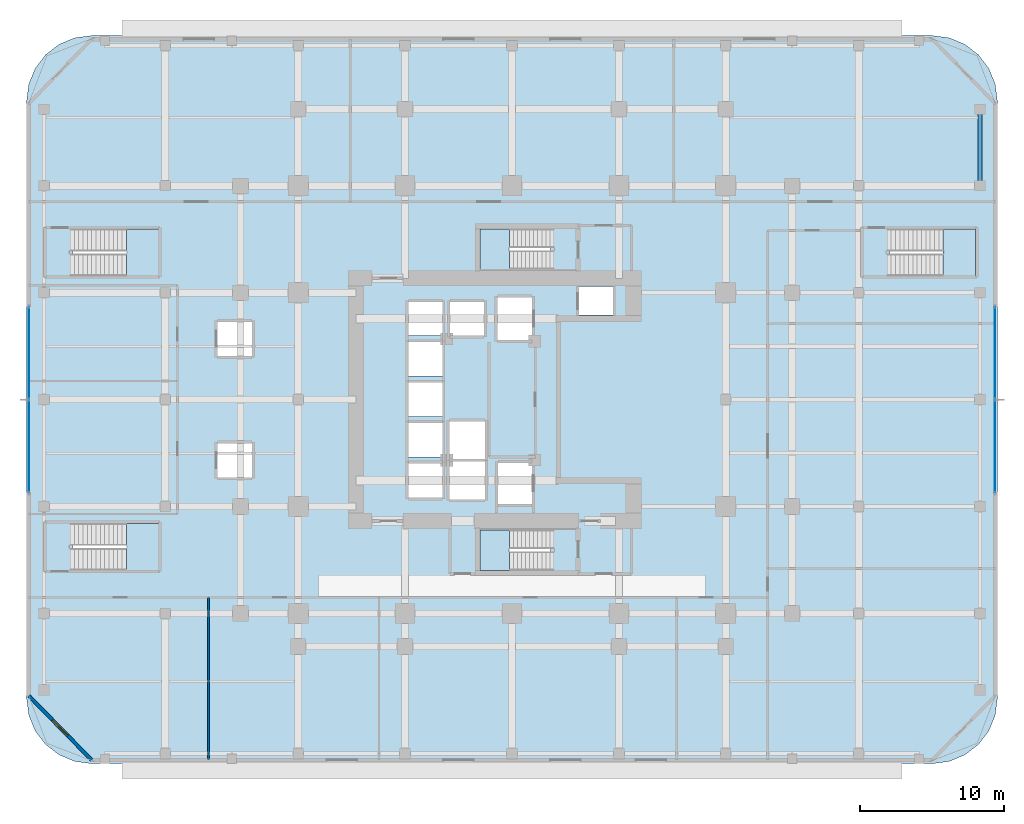
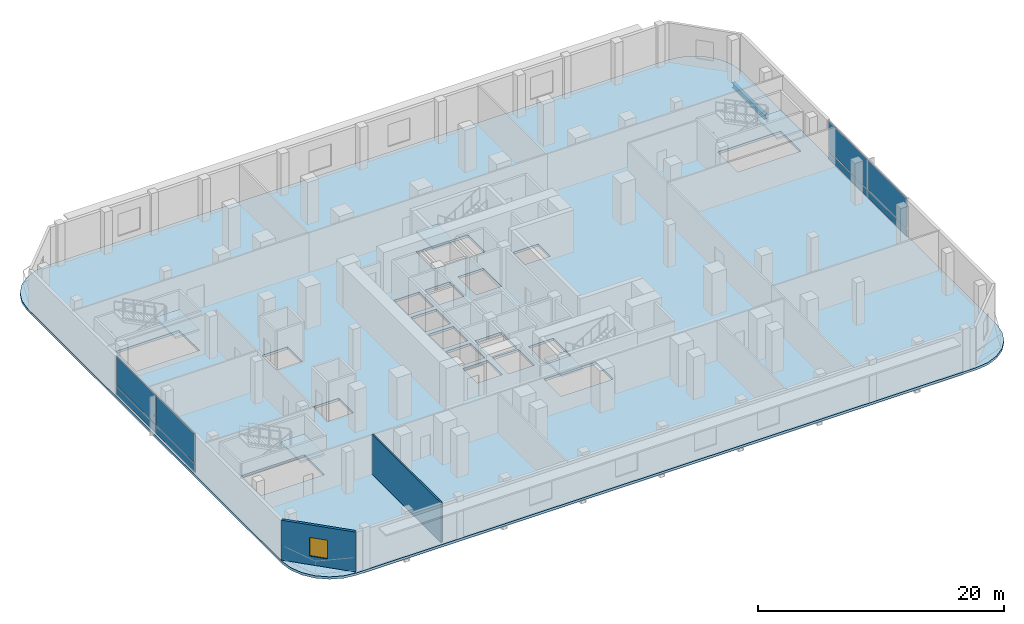
# One storey, part 7 of 19: 8 plates, 6 slabs, 2 walls, 1 beam, 1 window, 1 opening, 7 elements without a shape of their own.
"""IFC4 building model written with IfcOpenShell, lengths in metres."""

from ifc_helpers import new_model, si_unit, direction, frame, frame_2d, origin, origin_2d, place, context, subcontext, project, spatial, polyline, rectangle, i_section, outline, extrude, material, layer, layer_set, material_profile, profile_set, type_object, element, fill, aggregate, save


model = new_model("IFC4")

# Units and contexts
model_context = context("Model", 3, precision=1e-05, world=origin(), true_north=direction((0.0, 1.0)))
body_context = subcontext(model_context, "Body", "Model", "MODEL_VIEW")
ifc_project = project(units=[si_unit("LENGTHUNIT", "METRE"), si_unit("AREAUNIT", "SQUARE_METRE"), si_unit("VOLUMEUNIT", "CUBIC_METRE"), si_unit("PLANEANGLEUNIT", "RADIAN"), si_unit("MASSUNIT", "GRAM", prefix="KILO")], contexts=[model_context])

# Site, building, storey
site_placement = place(None, origin())
site = spatial("IfcSite", under=ifc_project, at=site_placement, CompositionType="ELEMENT")
building_placement = place(site_placement, origin())
building = spatial("IfcBuilding", under=site, at=building_placement, Name="Khorvyn Point Tower", CompositionType="ELEMENT")
storey_placement = place(building_placement, frame((0.0, 0.0, 13.199951171875)))
storey = spatial("IfcBuildingStorey", under=building, at=storey_placement, Name="L04", CompositionType="ELEMENT", Elevation=13.199951171875)

# Beam
ifc_material_1 = material(Name="Steel S355", Category="steel")
ifc_material_profile = material_profile(ifc_material_1, i_section(OverallWidth=0.300048828125, OverallDepth=0.488037109375, WebThickness=0.010986328125, FlangeThickness=0.01806640625, at=origin_2d()))
ifc_profile_set = profile_set([ifc_material_profile], Name="Steel S355 H488x300x11x18")
beam_type = type_object("IfcBeamType", Name="Steel S355 Spandrel H488x300x11x18", PredefinedType="SPANDREL", material=ifc_profile_set)
beam_placement = place(storey_placement, frame((32.39990234375, 14.800048828125, -0.48388671875), z_axis=(0.0, 1.0, 0.0), x_axis=(-1.0, 0.0, 0.0)))
element("IfcBeam", 1, at=beam_placement, inside=storey, type_object=beam_type, Name="Beam", PredefinedType="SPANDREL", context=body_context, shape_type="SweptSolid", body=[
    extrude(i_section(OverallWidth=0.300048828125, OverallDepth=0.488037109375, WebThickness=0.010986328125, FlangeThickness=0.01806640625, at=origin_2d()), origin(), (0.0, 0.0, 1.0), 5.300048828125),
])

# Slab
ifc_material_2 = material(Name="Concrete C35/45", Category="concrete")
ifc_layer_1 = layer(ifc_material_2, 0.239990234375)
ifc_layer_set_1 = layer_set([ifc_layer_1], Name="Concrete C35/45 Structural Floor Slab 240")
slab_type_1 = type_object("IfcSlabType", Name="Concrete C35/45 Structural Floor Slab 240", PredefinedType="FLOOR", material=ifc_layer_set_1)
slab_1_placement = place(storey_placement, frame((0.0, 0.0, -0.239990234375)))
element("IfcSlab", 2, at=slab_1_placement, inside=storey, type_object=slab_type_1, Name="L04 Main Structural Floor Slab", PredefinedType="FLOOR", context=body_context, shape_type="SweptSolid", body=[
    extrude(outline(polyline([(-29.10009765625, -25.199951171875), (-30.2646484375, -25.046630859375), (-31.35009765625, -24.59716796875), (-32.281982421875, -23.882080078125), (-32.9970703125, -22.949951171875), (-33.44677734375, -21.86474609375), (-33.60009765625, -20.699951171875), (-33.60009765625, 20.699951171875), (-33.44677734375, 21.86474609375), (-32.9970703125, 22.949951171875), (-32.281982421875, 23.882080078125), (-31.35009765625, 24.59716796875), (-30.2646484375, 25.046630859375), (-29.10009765625, 25.199951171875), (29.10009765625, 25.199951171875), (30.2646484375, 25.046630859375), (31.35009765625, 24.59716796875), (32.281982421875, 23.882080078125), (32.9970703125, 22.949951171875), (33.44677734375, 21.86474609375), (33.60009765625, 20.699951171875), (33.60009765625, -20.699951171875), (33.44677734375, -21.86474609375), (32.9970703125, -22.949951171875), (32.281982421875, -23.882080078125), (31.35009765625, -24.59716796875), (30.2646484375, -25.046630859375), (29.10009765625, -25.199951171875), (-29.10009765625, -25.199951171875)]), holes=[polyline([(-30.3798828125, -11.820068359375), (-24.449951171875, -11.820068359375), (-24.449951171875, -8.56005859375), (-30.3798828125, -8.56005859375), (-30.3798828125, -11.820068359375)]), polyline([(-7.175048828125, -6.77490234375), (-4.824951171875, -6.77490234375), (-4.824951171875, -4.425048828125), (-7.175048828125, -4.425048828125), (-7.175048828125, -6.77490234375)]), polyline([(-20.39990234375, -5.375), (-18.0, -5.375), (-18.0, -3.02490234375), (-20.39990234375, -3.02490234375), (-20.39990234375, -5.375)]), polyline([(-7.175048828125, -3.97509765625), (-4.824951171875, -3.97509765625), (-4.824951171875, -1.625), (-7.175048828125, -1.625), (-7.175048828125, -3.97509765625)]), polyline([(-7.175048828125, -1.175048828125), (-4.824951171875, -1.175048828125), (-4.824951171875, 1.175048828125), (-7.175048828125, 1.175048828125), (-7.175048828125, -1.175048828125)]), polyline([(-7.175048828125, 1.625), (-4.824951171875, 1.625), (-4.824951171875, 3.97509765625), (-7.175048828125, 3.97509765625), (-7.175048828125, 1.625)]), polyline([(-20.39990234375, 3.02490234375), (-18.0, 3.02490234375), (-18.0, 5.375), (-20.39990234375, 5.375), (-20.39990234375, 3.02490234375)]), polyline([(-7.175048828125, 6.77490234375), (-7.175048828125, 4.425048828125), (-4.824951171875, 4.425048828125), (-4.824951171875, 6.77490234375), (-7.175048828125, 6.77490234375)]), polyline([(-30.3798828125, 11.820068359375), (-30.3798828125, 8.56005859375), (-24.449951171875, 8.56005859375), (-24.449951171875, 11.820068359375), (-30.3798828125, 11.820068359375)]), polyline([(-2.199951171875, -11.820068359375), (2.679931640625, -11.820068359375), (2.679931640625, -9.02001953125), (-2.199951171875, -9.02001953125), (-2.199951171875, -11.820068359375)]), polyline([(-0.97509765625, -7.22509765625), (1.375, -7.22509765625), (1.375, -4.375), (-0.97509765625, -4.375), (-0.97509765625, -7.22509765625)]), polyline([(-4.324951171875, -6.89990234375), (-1.875, -6.89990234375), (-1.875, -4.300048828125), (-4.324951171875, -4.300048828125), (-4.324951171875, -6.89990234375)]), polyline([(-4.324951171875, -4.10009765625), (-1.875, -4.10009765625), (-1.875, -1.5), (-4.324951171875, -1.5), (-4.324951171875, -4.10009765625)]), polyline([(-4.27490234375, 4.425048828125), (-1.925048828125, 4.425048828125), (-1.925048828125, 6.77490234375), (-4.27490234375, 6.77490234375), (-4.27490234375, 4.425048828125)]), polyline([(-1.0, 4.125), (1.39990234375, 4.125), (1.39990234375, 7.074951171875), (-1.0, 7.074951171875), (-1.0, 4.125)]), polyline([(4.625, 5.85009765625), (6.97509765625, 5.85009765625), (6.97509765625, 7.830078125), (4.625, 7.830078125), (4.625, 5.85009765625)]), polyline([(26.169921875, 11.820068359375), (26.169921875, 8.56005859375), (32.10009765625, 8.56005859375), (32.10009765625, 11.820068359375), (26.169921875, 11.820068359375)]), polyline([(-2.199951171875, 11.820068359375), (-2.199951171875, 9.02001953125), (2.679931640625, 9.02001953125), (2.679931640625, 11.820068359375), (-2.199951171875, 11.820068359375)])]), origin(), (0.0, 0.0, 1.0), 0.239990234375),
])

# Stair, slab
ifc_material_3 = material(Name="Concrete C40/50", Category="concrete")
stair_type_1 = type_object("IfcStairType", Name="Tower Concrete C40/50 Dogleg Exit Stair", PredefinedType="HALF_TURN_STAIR", material=ifc_material_3)
stair_1_placement = place(storey_placement, origin())
stair_1 = element("IfcStair", 3, at=stair_1_placement, inside=storey, type_object=stair_type_1, Name="L04 Tower Smokeproof Exit Stair South", PredefinedType="HALF_TURN_STAIR")
ifc_layer_2 = layer(ifc_material_3, 0.199951171875)
ifc_layer_set_2 = layer_set([ifc_layer_2], Name="Concrete C40/50 Stair Landing Slab 200")
slab_type_2 = type_object("IfcSlabType", Name="Concrete C40/50 Stair Landing Slab 200", PredefinedType="LANDING", material=ifc_layer_set_2)
slab_2_placement = place(storey_placement, frame((0.0, 0.0, 1.900146484375)))
slab_2 = element("IfcSlab", 4, at=slab_2_placement, type_object=slab_type_2, Name="ST-01 landing 1", PredefinedType="LANDING", context=body_context, shape_type="SweptSolid", body=[
    extrude(outline(polyline([(-0.179931640625, -9.02001953125), (-2.199951171875, -9.02001953125), (-2.199951171875, -11.820068359375), (-0.179931640625, -11.820068359375), (-0.179931640625, -9.02001953125)])), origin(), (0.0, 0.0, 1.0), 0.199951171875),
])
aggregate(stair_1, [slab_2])

stair_2_placement = place(storey_placement, origin())
stair_2 = element("IfcStair", 5, at=stair_2_placement, inside=storey, type_object=stair_type_1, Name="L04 Tower Smokeproof Exit Stair North", PredefinedType="HALF_TURN_STAIR")
slab_3_placement = place(storey_placement, frame((0.0, 0.0, 1.900146484375)))
slab_3 = element("IfcSlab", 6, at=slab_3_placement, type_object=slab_type_2, Name="ST-02 landing 1", PredefinedType="LANDING", context=body_context, shape_type="SweptSolid", body=[
    extrude(outline(polyline([(-0.179931640625, 11.820068359375), (-2.199951171875, 11.820068359375), (-2.199951171875, 9.02001953125), (-0.179931640625, 9.02001953125), (-0.179931640625, 11.820068359375)])), origin(), (0.0, 0.0, 1.0), 0.199951171875),
])
aggregate(stair_2, [slab_3])

stair_type_2 = type_object("IfcStairType", Name="School Podium Concrete C40/50 Wide Exit Stair", PredefinedType="HALF_TURN_STAIR", material=ifc_material_3)
stair_3_placement = place(storey_placement, origin())
stair_3 = element("IfcStair", 7, at=stair_3_placement, inside=storey, type_object=stair_type_2, Name="L04 School Podium Smokeproof Stair Southwest", PredefinedType="HALF_TURN_STAIR")
slab_4_placement = place(storey_placement, frame((0.0, 0.0, 1.900146484375)))
slab_4 = element("IfcSlab", 8, at=slab_4_placement, type_object=slab_type_2, Name="ST-S1 landing 1", PredefinedType="LANDING", context=body_context, shape_type="SweptSolid", body=[
    extrude(outline(polyline([(-26.699951171875, -11.820068359375), (-24.449951171875, -11.820068359375), (-24.449951171875, -8.56005859375), (-26.699951171875, -8.56005859375), (-26.699951171875, -11.820068359375)])), origin(), (0.0, 0.0, 1.0), 0.199951171875),
])
aggregate(stair_3, [slab_4])

stair_4_placement = place(storey_placement, origin())
stair_4 = element("IfcStair", 9, at=stair_4_placement, inside=storey, type_object=stair_type_2, Name="L04 School Podium Smokeproof Stair Northwest", PredefinedType="HALF_TURN_STAIR")
slab_5_placement = place(storey_placement, frame((0.0, 0.0, 1.900146484375)))
slab_5 = element("IfcSlab", 10, at=slab_5_placement, type_object=slab_type_2, Name="ST-S2 landing 1", PredefinedType="LANDING", context=body_context, shape_type="SweptSolid", body=[
    extrude(outline(polyline([(-26.699951171875, 8.56005859375), (-24.449951171875, 8.56005859375), (-24.449951171875, 11.820068359375), (-26.699951171875, 11.820068359375), (-26.699951171875, 8.56005859375)])), origin(), (0.0, 0.0, 1.0), 0.199951171875),
])
aggregate(stair_4, [slab_5])

stair_5_placement = place(storey_placement, origin())
stair_5 = element("IfcStair", 11, at=stair_5_placement, inside=storey, type_object=stair_type_2, Name="L04 School Podium Smokeproof Stair Northeast", PredefinedType="HALF_TURN_STAIR")
slab_6_placement = place(storey_placement, frame((0.0, 0.0, 1.900146484375)))
slab_6 = element("IfcSlab", 12, at=slab_6_placement, type_object=slab_type_2, Name="ST-S3 landing 1", PredefinedType="LANDING", context=body_context, shape_type="SweptSolid", body=[
    extrude(outline(polyline([(29.85009765625, 8.56005859375), (32.10009765625, 8.56005859375), (32.10009765625, 11.820068359375), (29.85009765625, 11.820068359375), (29.85009765625, 8.56005859375)])), origin(), (0.0, 0.0, 1.0), 0.199951171875),
])
aggregate(stair_5, [slab_6])

# Curtain wall, plates
ifc_material_4 = material(Name="Anodised aluminium 6063-T6 and laminated Low-E glass", Category="aluminium")
ifc_layer_3 = layer(ifc_material_4, 0.18994140625)
ifc_layer_set_3 = layer_set([ifc_layer_3], Name="Stick-Built Low-E Podium Curtain Wall CW-SYS-01")
curtain_wall_type = type_object("IfcCurtainWallType", Name="Stick-Built Low-E Podium Curtain Wall CW-SYS-01", PredefinedType="NOTDEFINED", material=ifc_layer_set_3)
curtain_wall_1_placement = place(storey_placement, origin())
curtain_wall_1 = element("IfcCurtainWall", 13, at=curtain_wall_1_placement, inside=storey, type_object=curtain_wall_type, Name="Curtain Wall", PredefinedType="NOTDEFINED")
ifc_material_5 = material(Name="Pale anodised aluminium 5005", Category="aluminium")
ifc_layer_4 = layer(ifc_material_5, 0.0400390625)
ifc_layer_set_4 = layer_set([ifc_layer_4], Name="Pale Champagne Aluminium Insulated Spandrel Panel CW-SP40")
plate_type_1 = type_object("IfcPlateType", Name="Pale Champagne Aluminium Insulated Spandrel Panel CW-SP40", PredefinedType="SHEET", material=ifc_layer_set_4)
plate_1_placement = place(storey_placement, frame((-33.449951171875, -3.22509765625, 0.10009765625), z_axis=(0.0, 0.0, 1.0), x_axis=(0.0, 1.0, 0.0)))
plate_1 = element("IfcPlate", 14, at=plate_1_placement, type_object=plate_type_1, Name="Panel", PredefinedType="SHEET", context=body_context, shape_type="SweptSolid", body=[
    extrude(rectangle(XDim=6.35009765625, YDim=0.0400390625, at=origin_2d()), origin(), (0.0, 0.0, 1.0), 0.75),
])
plate_2_placement = place(storey_placement, frame((-33.449951171875, 3.22509765625, 0.10009765625), z_axis=(0.0, 0.0, 1.0), x_axis=(0.0, 1.0, 0.0)))
plate_2 = element("IfcPlate", 15, at=plate_2_placement, type_object=plate_type_1, Name="Panel", PredefinedType="SHEET", context=body_context, shape_type="SweptSolid", body=[
    extrude(rectangle(XDim=6.35009765625, YDim=0.0400390625, at=origin_2d()), origin(), (0.0, 0.0, 1.0), 0.75),
])

curtain_wall_2_placement = place(storey_placement, origin())
curtain_wall_2 = element("IfcCurtainWall", 16, at=curtain_wall_2_placement, inside=storey, type_object=curtain_wall_type, Name="Curtain Wall", PredefinedType="NOTDEFINED")
plate_3_placement = place(storey_placement, frame((33.449951171875, -3.22509765625, 0.10009765625), z_axis=(0.0, 0.0, 1.0), x_axis=(0.0, 1.0, 0.0)))
plate_3 = element("IfcPlate", 17, at=plate_3_placement, type_object=plate_type_1, Name="Panel", PredefinedType="SHEET", context=body_context, shape_type="SweptSolid", body=[
    extrude(rectangle(XDim=6.35009765625, YDim=0.0400390625, at=origin_2d()), origin(), (0.0, 0.0, 1.0), 0.75),
])
plate_4_placement = place(storey_placement, frame((33.449951171875, 3.22509765625, 0.10009765625), z_axis=(0.0, 0.0, 1.0), x_axis=(0.0, 1.0, 0.0)))
plate_4 = element("IfcPlate", 18, at=plate_4_placement, type_object=plate_type_1, Name="Panel", PredefinedType="SHEET", context=body_context, shape_type="SweptSolid", body=[
    extrude(rectangle(XDim=6.35009765625, YDim=0.0400390625, at=origin_2d()), origin(), (0.0, 0.0, 1.0), 0.75),
])

# Plate
ifc_material_6 = material(Name="Laminated Low-E insulated glass", Category="glass")
ifc_layer_5 = layer(ifc_material_6, 0.028076171875)
ifc_layer_set_5 = layer_set([ifc_layer_5], Name="Tempered Low-E Vision Glazing Panel CW-GL28")
plate_type_2 = type_object("IfcPlateType", Name="Tempered Low-E Vision Glazing Panel CW-GL28", PredefinedType="CURTAIN_PANEL", material=ifc_layer_set_5)
plate_5_placement = place(storey_placement, frame((-33.449951171875, -3.22509765625, 0.9501953125), z_axis=(0.0, 0.0, 1.0), x_axis=(0.0, 1.0, 0.0)))
plate_5 = element("IfcPlate", 19, at=plate_5_placement, type_object=plate_type_2, Name="Panel", PredefinedType="CURTAIN_PANEL", context=body_context, shape_type="SweptSolid", body=[
    extrude(rectangle(XDim=6.35009765625, YDim=0.028076171875, at=origin_2d()), origin(), (0.0, 0.0, 1.0), 2.909912109375),
])

plate_6_placement = place(storey_placement, frame((-33.449951171875, 3.22509765625, 0.9501953125), z_axis=(0.0, 0.0, 1.0), x_axis=(0.0, 1.0, 0.0)))
plate_6 = element("IfcPlate", 20, at=plate_6_placement, type_object=plate_type_2, Name="Panel", PredefinedType="CURTAIN_PANEL", context=body_context, shape_type="SweptSolid", body=[
    extrude(rectangle(XDim=6.35009765625, YDim=0.028076171875, at=origin_2d()), origin(), (0.0, 0.0, 1.0), 2.909912109375),
])

aggregate(curtain_wall_1, [plate_1, plate_5, plate_2, plate_6])

plate_7_placement = place(storey_placement, frame((33.449951171875, -3.22509765625, 0.9501953125), z_axis=(0.0, 0.0, 1.0), x_axis=(0.0, 1.0, 0.0)))
plate_7 = element("IfcPlate", 21, at=plate_7_placement, type_object=plate_type_2, Name="Panel", PredefinedType="CURTAIN_PANEL", context=body_context, shape_type="SweptSolid", body=[
    extrude(rectangle(XDim=6.35009765625, YDim=0.028076171875, at=origin_2d()), origin(), (0.0, 0.0, 1.0), 2.909912109375),
])

plate_8_placement = place(storey_placement, frame((33.449951171875, 3.22509765625, 0.9501953125), z_axis=(0.0, 0.0, 1.0), x_axis=(0.0, 1.0, 0.0)))
plate_8 = element("IfcPlate", 22, at=plate_8_placement, type_object=plate_type_2, Name="Panel", PredefinedType="CURTAIN_PANEL", context=body_context, shape_type="SweptSolid", body=[
    extrude(rectangle(XDim=6.35009765625, YDim=0.028076171875, at=origin_2d()), origin(), (0.0, 0.0, 1.0), 2.909912109375),
])

aggregate(curtain_wall_2, [plate_3, plate_7, plate_4, plate_8])

# Wall, opening, window
ifc_material_7 = material(Name="Pale anodised aluminium rainscreen on steel stud", Category="steel")
ifc_layer_6 = layer(ifc_material_7, 0.239990234375)
ifc_layer_set_6 = layer_set([ifc_layer_6], Name="Anodised Aluminium Insulated Corner Spandrel Wall 240")
wall_type_1 = type_object("IfcWallType", Name="Anodised Aluminium Insulated Corner Spandrel Wall 240", PredefinedType="SOLIDWALL", material=ifc_layer_set_6)
wall_1_placement = place(storey_placement, frame((-29.10009765625, -24.949951171875, 0.0), z_axis=(0.0, 0.0, 1.0), x_axis=(-0.69901822973, 0.715103848756, 0.0)))
wall_1 = element("IfcWall", 23, at=wall_1_placement, inside=storey, type_object=wall_type_1, Name="L04 Rounded Corner Wall SW", PredefinedType="SOLIDWALL", context=body_context, shape_type="SweptSolid", body=[
    extrude(rectangle(XDim=6.222900390625, YDim=0.239990234375, at=frame_2d((3.111328125, 0.0))), origin(), (0.0, 0.0, 1.0), 3.9599609375),
])
opening_placement = place(wall_1_placement, frame((2.361572265625, 0.0, 0.85009765625)))
opening = element("IfcOpeningElement", 24, at=opening_placement, cuts=wall_1, Name="Opening WN-1518", PredefinedType="OPENING", context=body_context, shape_type="SweptSolid", body=[
    extrude(rectangle(XDim=1.5, YDim=1.85009765625, at=frame_2d((0.75, 0.925048828125))), frame((0.0, 0.1298828125, 0.0), z_axis=(0.0, -1.0, 0.0), x_axis=(1.0, 0.0, 0.0)), (0.0, 0.0, 1.0), 0.260009765625),
])
window_type = type_object("IfcWindowType", Name="Anodised Aluminium Rounded-Corner Panoramic Window 1500x1850", PartitioningType="SINGLE_PANEL", PredefinedType="WINDOW", material=ifc_material_4)
window_placement = place(opening_placement, origin())
window = element("IfcWindow", 25, at=window_placement, inside=storey, type_object=window_type, Name="L04 Corner Window SW", OverallHeight=1.85009765625, OverallWidth=1.5, PartitioningType="SINGLE_PANEL", PredefinedType="WINDOW", context=body_context, shape_type="SweptSolid", body=[
    extrude(rectangle(XDim=1.5, YDim=1.85009765625, at=frame_2d((0.75, 0.925048828125))), frame((0.0, 0.030029296875, 0.0), z_axis=(0.0, -1.0, 0.0), x_axis=(1.0, 0.0, 0.0)), (0.0, 0.0, 1.0), 0.06005859375),
])
fill(opening, window)

# Wall
ifc_material_8 = material(Name="Moisture-resistant gypsum and cement board", Category="gypsum")
ifc_layer_7 = layer(ifc_material_8, 0.14990234375)
ifc_layer_set_7 = layer_set([ifc_layer_7], Name="Moisture-Resistant Wet-Room Partition Wall 150")
wall_type_2 = type_object("IfcWallType", Name="Moisture-Resistant Wet-Room Partition Wall 150", PredefinedType="PARTITIONING", material=ifc_layer_set_7)
wall_2_placement = place(storey_placement, frame((-21.0, -24.919921875, 0.0), z_axis=(0.0, 0.0, 1.0), x_axis=(0.0, 1.0, 0.0)))
element("IfcWall", 26, at=wall_2_placement, inside=storey, type_object=wall_type_2, Name="Wall", PredefinedType="PARTITIONING", context=body_context, shape_type="SweptSolid", body=[
    extrude(rectangle(XDim=11.219970703125, YDim=0.14990234375, at=frame_2d((5.60986328125, 0.0))), origin(), (0.0, 0.0, 1.0), 3.9599609375),
])

save(model, "model.ifc")
